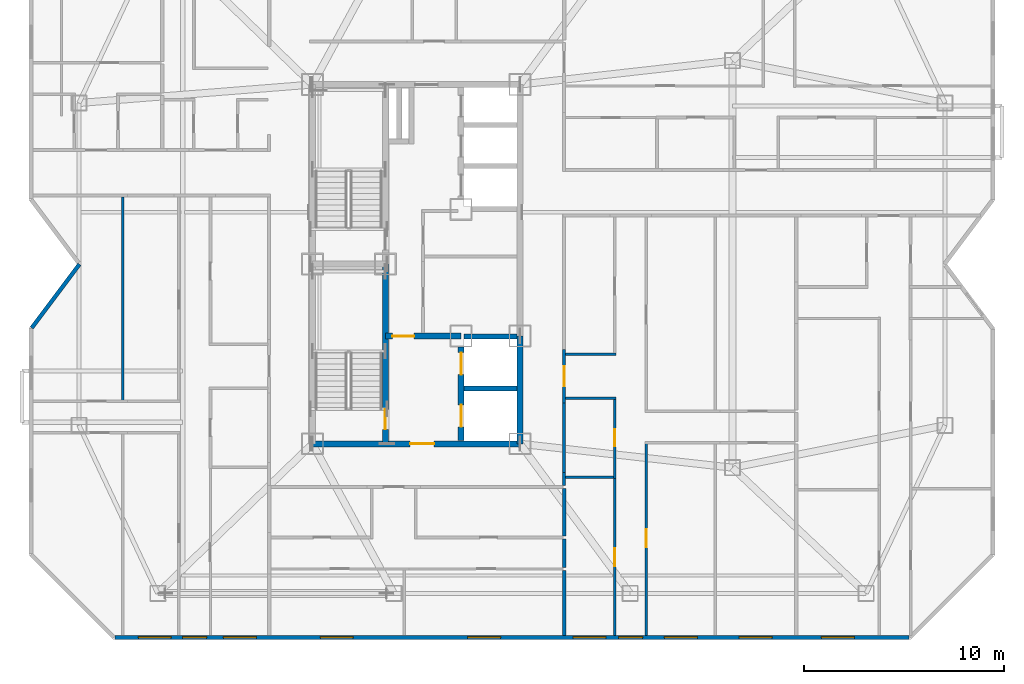
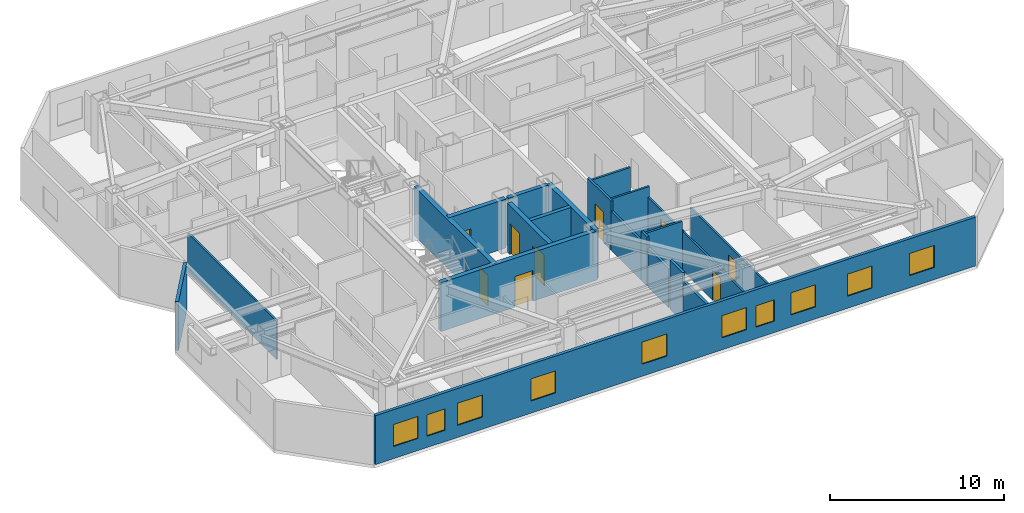
# One storey, part 6 of 12: 22 walls, 10 windows, 9 doors, 19 openings.
"""IFC4 building model written with IfcOpenShell, lengths in metres."""

from ifc_helpers import new_model, si_unit, direction, frame, frame_2d, origin, place, context, subcontext, project, spatial, rectangle, extrude, material, layer, layer_set, type_object, element, fill, save


model = new_model("IFC4")

# Units and contexts
model_context = context("Model", 3, precision=1e-05, world=origin(), true_north=direction((0.0, 1.0)))
body_context = subcontext(model_context, "Body", "Model", "MODEL_VIEW")
ifc_project = project(units=[si_unit("LENGTHUNIT", "METRE"), si_unit("AREAUNIT", "SQUARE_METRE"), si_unit("VOLUMEUNIT", "CUBIC_METRE"), si_unit("PLANEANGLEUNIT", "RADIAN"), si_unit("MASSUNIT", "GRAM", prefix="KILO")], contexts=[model_context])

# Site, building, storey
site_placement = place(None, origin())
site = spatial("IfcSite", under=ifc_project, at=site_placement, CompositionType="ELEMENT")
building_placement = place(site_placement, origin())
building = spatial("IfcBuilding", under=site, at=building_placement, Name="Khamvora Tower", CompositionType="ELEMENT")
storey_placement = place(building_placement, frame((0.0, 0.0, 199.699951171875)))
storey = spatial("IfcBuildingStorey", under=building, at=storey_placement, Name="L51", CompositionType="ELEMENT", Elevation=199.699951171875)

# Wall, opening, door
ifc_material_1 = material(Name="Concrete C50/60", Category="concrete")
ifc_layer_1 = layer(ifc_material_1, 0.300048828125)
ifc_layer_set_1 = layer_set([ifc_layer_1], Name="Concrete C50/60")
wall_type_1 = type_object("IfcWallType", Name="WAL-CORE-300", PredefinedType="SHEAR", material=ifc_layer_set_1)
wall_1_placement = place(storey_placement, frame((29.0, 19.0, 0.0), z_axis=(0.0, 0.0, 1.0), x_axis=(1.0, 0.0, 0.0)))
wall_1 = element("IfcWall", 1, at=wall_1_placement, inside=storey, type_object=wall_type_1, Name="L51 central core south wall", PredefinedType="SHEAR", context=body_context, shape_type="SweptSolid", body=[
    extrude(rectangle(XDim=10.39990234375, YDim=0.300048828125, at=frame_2d((5.199951171875, 0.0))), origin(), (0.0, 0.0, 1.0), 3.429931640625),
])
opening_1_placement = place(wall_1_placement, frame((4.89990234375, 0.0, 0.0)))
opening_1 = element("IfcOpeningElement", 2, at=opening_1_placement, cuts=wall_1, Name="Opening D-CR1", PredefinedType="OPENING", context=body_context, shape_type="SweptSolid", body=[
    extrude(rectangle(XDim=1.199951171875, YDim=2.14990234375, at=frame_2d((0.60009765625, 1.074951171875))), frame((0.0, 0.159912109375, 0.0), z_axis=(0.0, -1.0, 0.0), x_axis=(1.0, 0.0, 0.0)), (0.0, 0.0, 1.0), 0.320068359375),
])
ifc_material_2 = material(Name="Powder-Coated Steel and Hardwood Leaf", Category="steel")
door_type_1 = type_object("IfcDoorType", Name="DOR-CORR-1200", OperationType="NOTDEFINED", PredefinedType="DOOR", material=ifc_material_2)
door_1_placement = place(opening_1_placement, origin())
door_1 = element("IfcDoor", 3, at=door_1_placement, inside=storey, type_object=door_type_1, Name="L51 south core lobby to corridor fire door", OperationType="SINGLE_SWING_RIGHT", OverallHeight=2.14990234375, OverallWidth=1.199951171875, PredefinedType="DOOR", context=body_context, shape_type="SweptSolid", body=[
    extrude(rectangle(XDim=1.199951171875, YDim=2.14990234375, at=frame_2d((0.60009765625, 1.074951171875))), frame((0.0, 0.02490234375, 0.0), z_axis=(0.0, -1.0, 0.0), x_axis=(1.0, 0.0, 0.0)), (0.0, 0.0, 1.0), 0.050048828125),
])
fill(opening_1, door_1)

# Wall
wall_2_placement = place(storey_placement, frame((39.39990234375, 19.0, 0.0), z_axis=(0.0, 0.0, 1.0), x_axis=(0.0, 1.0, 0.0)))
element("IfcWall", 4, at=wall_2_placement, inside=storey, type_object=wall_type_1, Name="L51 central core east south wall", PredefinedType="SHEAR", context=body_context, shape_type="SweptSolid", body=[
    extrude(rectangle(XDim=5.39990234375, YDim=0.300048828125, at=frame_2d((2.699951171875, 0.0))), origin(), (0.0, 0.0, 1.0), 3.429931640625),
])

# Wall, opening, door
wall_3_placement = place(storey_placement, frame((32.64990234375, 19.0, 0.0), z_axis=(0.0, 0.0, 1.0), x_axis=(0.0, 1.0, 0.0)))
wall_3 = element("IfcWall", 5, at=wall_3_placement, inside=storey, type_object=wall_type_1, Name="L51 central core stair south spine wall", PredefinedType="SHEAR", context=body_context, shape_type="SweptSolid", body=[
    extrude(rectangle(XDim=9.0, YDim=0.300048828125, at=frame_2d((4.5, 0.0))), origin(), (0.0, 0.0, 1.0), 3.429931640625),
])
opening_2_placement = place(wall_3_placement, frame((0.719970703125, 0.0, 0.0)))
opening_2 = element("IfcOpeningElement", 6, at=opening_2_placement, cuts=wall_3, Name="Opening D-ST1", PredefinedType="OPENING", context=body_context, shape_type="SweptSolid", body=[
    extrude(rectangle(XDim=1.0, YDim=2.14990234375, at=frame_2d((0.5, 1.074951171875))), frame((0.0, 0.159912109375, 0.0), z_axis=(0.0, -1.0, 0.0), x_axis=(1.0, 0.0, 0.0)), (0.0, 0.0, 1.0), 0.320068359375),
])
door_type_2 = type_object("IfcDoorType", Name="DOR-STAIR-1000", OperationType="NOTDEFINED", PredefinedType="DOOR", material=ifc_material_2)
door_2_placement = place(opening_2_placement, origin())
door_2 = element("IfcDoor", 7, at=door_2_placement, inside=storey, type_object=door_type_2, Name="L51 exit stair ST-01 fire door", OperationType="SINGLE_SWING_RIGHT", OverallHeight=2.14990234375, OverallWidth=1.0, PredefinedType="DOOR", context=body_context, shape_type="SweptSolid", body=[
    extrude(rectangle(XDim=1.0, YDim=2.14990234375, at=frame_2d((0.5, 1.074951171875))), frame((0.0, 0.02490234375, 0.0), z_axis=(0.0, -1.0, 0.0), x_axis=(1.0, 0.0, 0.0)), (0.0, 0.0, 1.0), 0.050048828125),
])
fill(opening_2, door_2)

wall_4_placement = place(storey_placement, frame((32.64990234375, 24.39990234375, 0.0), z_axis=(0.0, 0.0, 1.0), x_axis=(1.0, 0.0, 0.0)))
wall_4 = element("IfcWall", 8, at=wall_4_placement, inside=storey, type_object=wall_type_1, Name="L51 central core firefighting lobby north wall", PredefinedType="SHEAR", context=body_context, shape_type="SweptSolid", body=[
    extrude(rectangle(XDim=3.800048828125, YDim=0.300048828125, at=frame_2d((1.89990234375, 0.0))), origin(), (0.0, 0.0, 1.0), 3.429931640625),
])
opening_3_placement = place(wall_4_placement, frame((0.35009765625, 0.0, 0.0)))
opening_3 = element("IfcOpeningElement", 9, at=opening_3_placement, cuts=wall_4, Name="Opening D-FF1", PredefinedType="OPENING", context=body_context, shape_type="SweptSolid", body=[
    extrude(rectangle(XDim=1.10009765625, YDim=2.14990234375, at=frame_2d((0.550048828125, 1.074951171875))), frame((0.0, 0.159912109375, 0.0), z_axis=(0.0, -1.0, 0.0), x_axis=(1.0, 0.0, 0.0)), (0.0, 0.0, 1.0), 0.320068359375),
])
door_type_3 = type_object("IfcDoorType", Name="DOR-FFLOB-1100", OperationType="NOTDEFINED", PredefinedType="DOOR", material=ifc_material_2)
door_3_placement = place(opening_3_placement, origin())
door_3 = element("IfcDoor", 10, at=door_3_placement, inside=storey, type_object=door_type_3, Name="L51 firefighting lobby smoke-seal fire door", OperationType="SINGLE_SWING_LEFT", OverallHeight=2.14990234375, OverallWidth=1.10009765625, PredefinedType="DOOR", context=body_context, shape_type="SweptSolid", body=[
    extrude(rectangle(XDim=1.10009765625, YDim=2.14990234375, at=frame_2d((0.550048828125, 1.074951171875))), frame((0.0, 0.02490234375, 0.0), z_axis=(0.0, -1.0, 0.0), x_axis=(1.0, 0.0, 0.0)), (0.0, 0.0, 1.0), 0.050048828125),
])
fill(opening_3, door_3)

# Wall, openings, doors
wall_5_placement = place(storey_placement, frame((36.449951171875, 19.154052734375, 0.0), z_axis=(0.0, 0.0, 1.0), x_axis=(0.0, 1.0, 0.0)))
wall_5 = element("IfcWall", 11, at=wall_5_placement, inside=storey, type_object=wall_type_1, Name="L51 central core lift bank south wall", PredefinedType="SHEAR", context=body_context, shape_type="SweptSolid", body=[
    extrude(rectangle(XDim=4.696044921875, YDim=0.300048828125, at=frame_2d((2.34814453125, 0.0))), origin(), (0.0, 0.0, 1.0), 3.429931640625),
])
opening_4_placement = place(wall_5_placement, frame((0.696044921875, 0.0, 0.0)))
opening_4 = element("IfcOpeningElement", 12, at=opening_4_placement, cuts=wall_5, Name="Opening LD-FFL", PredefinedType="OPENING", context=body_context, shape_type="SweptSolid", body=[
    extrude(rectangle(XDim=1.10009765625, YDim=2.14990234375, at=frame_2d((0.550048828125, 1.074951171875))), frame((0.0, 0.159912109375, 0.0), z_axis=(0.0, -1.0, 0.0), x_axis=(1.0, 0.0, 0.0)), (0.0, 0.0, 1.0), 0.320068359375),
])
opening_5_placement = place(wall_5_placement, frame((3.31591796875, 0.0, 0.0)))
opening_5 = element("IfcOpeningElement", 13, at=opening_5_placement, cuts=wall_5, Name="Opening LD-FFL", PredefinedType="OPENING", context=body_context, shape_type="SweptSolid", body=[
    extrude(rectangle(XDim=1.10009765625, YDim=2.14990234375, at=frame_2d((0.550048828125, 1.074951171875))), frame((0.0, 0.159912109375, 0.0), z_axis=(0.0, -1.0, 0.0), x_axis=(1.0, 0.0, 0.0)), (0.0, 0.0, 1.0), 0.320068359375),
])
door_type_4 = type_object("IfcDoorType", Name="DOR-LIFT-1100", OperationType="SLIDING_TO_LEFT", PredefinedType="DOOR", material=ifc_material_2)
door_4_placement = place(opening_4_placement, origin())
door_4 = element("IfcDoor", 14, at=door_4_placement, inside=storey, type_object=door_type_4, Name="L51 lift landing sliding door FFL-01", OperationType="SLIDING_TO_LEFT", OverallHeight=2.14990234375, OverallWidth=1.10009765625, PredefinedType="DOOR", context=body_context, shape_type="SweptSolid", body=[
    extrude(rectangle(XDim=1.10009765625, YDim=2.14990234375, at=frame_2d((0.550048828125, 1.074951171875))), frame((0.0, 0.02490234375, 0.0), z_axis=(0.0, -1.0, 0.0), x_axis=(1.0, 0.0, 0.0)), (0.0, 0.0, 1.0), 0.050048828125),
])
fill(opening_4, door_4)
door_5_placement = place(opening_5_placement, origin())
door_5 = element("IfcDoor", 15, at=door_5_placement, inside=storey, type_object=door_type_4, Name="L51 lift landing sliding door FFL-02", OperationType="SLIDING_TO_LEFT", OverallHeight=2.14990234375, OverallWidth=1.10009765625, PredefinedType="DOOR", context=body_context, shape_type="SweptSolid", body=[
    extrude(rectangle(XDim=1.10009765625, YDim=2.14990234375, at=frame_2d((0.550048828125, 1.074951171875))), frame((0.0, 0.02490234375, 0.0), z_axis=(0.0, -1.0, 0.0), x_axis=(1.0, 0.0, 0.0)), (0.0, 0.0, 1.0), 0.050048828125),
])
fill(opening_5, door_5)

# Wall
ifc_material_3 = material(Name="Fire-Rated Drywall and Steel Stud", Category="steel")
ifc_layer_2 = layer(ifc_material_3, 0.14990234375)
ifc_layer_set_2 = layer_set([ifc_layer_2], Name="Fire-Rated Drywall and Steel Stud")
wall_type_2 = type_object("IfcWallType", Name="WAL-CORR-150", PredefinedType="STANDARD", material=ifc_layer_set_2)
wall_6_placement = place(storey_placement, frame((41.614990234375, 17.568115234375, 0.0), z_axis=(0.0, 0.0, 1.0), x_axis=(0.0, -1.0, 0.0)))
element("IfcWall", 16, at=wall_6_placement, inside=storey, type_object=wall_type_2, Name="L51 interior partition wall 025", PredefinedType="STANDARD", context=body_context, shape_type="SweptSolid", body=[
    extrude(rectangle(XDim=0.668212890625, YDim=0.14990234375, at=frame_2d((0.333984375, 0.0))), origin(), (0.0, 0.0, 1.0), 3.429931640625),
])

# Wall, opening, door
wall_7_placement = place(storey_placement, frame((41.614990234375, 23.73291015625, 0.0), z_axis=(0.0, 0.0, 1.0), x_axis=(0.0, -1.0, 0.0)))
wall_7 = element("IfcWall", 17, at=wall_7_placement, inside=storey, type_object=wall_type_2, Name="L51 interior partition wall 027", PredefinedType="STANDARD", context=body_context, shape_type="SweptSolid", body=[
    extrude(rectangle(XDim=2.697998046875, YDim=0.14990234375, at=frame_2d((1.34912109375, 0.0))), origin(), (0.0, 0.0, 1.0), 3.429931640625),
])
opening_6_placement = place(wall_7_placement, frame((0.84912109375, 0.0, 0.0)))
opening_6 = element("IfcOpeningElement", 18, at=opening_6_placement, cuts=wall_7, Name="Opening D-U1", PredefinedType="OPENING", context=body_context, shape_type="SweptSolid", body=[
    extrude(rectangle(XDim=1.0, YDim=2.14990234375, at=frame_2d((0.5, 1.074951171875))), frame((0.0, 0.0849609375, 0.0), z_axis=(0.0, -1.0, 0.0), x_axis=(1.0, 0.0, 0.0)), (0.0, 0.0, 1.0), 0.169921875),
])
door_type_5 = type_object("IfcDoorType", Name="DOR-UNIT-1000", OperationType="NOTDEFINED", PredefinedType="DOOR", material=ifc_material_2)
door_6_placement = place(opening_6_placement, origin())
door_6 = element("IfcDoor", 19, at=door_6_placement, inside=storey, type_object=door_type_5, Name="L51 interior door COR-51EA1H", OperationType="SINGLE_SWING_LEFT", OverallHeight=2.14990234375, OverallWidth=1.0, PredefinedType="DOOR", context=body_context, shape_type="SweptSolid", body=[
    extrude(rectangle(XDim=1.0, YDim=2.14990234375, at=frame_2d((0.5, 1.074951171875))), frame((0.0, 0.02490234375, 0.0), z_axis=(0.0, -1.0, 0.0), x_axis=(1.0, 0.0, 0.0)), (0.0, 0.0, 1.0), 0.050048828125),
])
fill(opening_6, door_6)

# Walls
wall_8_placement = place(storey_placement, frame((41.614990234375, 21.034912109375, 0.0), z_axis=(0.0, 0.0, 1.0), x_axis=(0.0, -1.0, 0.0)))
element("IfcWall", 20, at=wall_8_placement, inside=storey, type_object=wall_type_2, Name="L51 interior partition wall 028", PredefinedType="STANDARD", context=body_context, shape_type="SweptSolid", body=[
    extrude(rectangle(XDim=3.466796875, YDim=0.14990234375, at=frame_2d((1.7333984375, 0.0))), origin(), (0.0, 0.0, 1.0), 2.72509765625),
])
ifc_material_4 = material(Name="Acoustic Double-Stud Fire Wall", Category="gypsum")
ifc_layer_3 = layer(ifc_material_4, 0.179931640625)
ifc_layer_set_3 = layer_set([ifc_layer_3], Name="Acoustic Double-Stud Fire Wall")
wall_type_3 = type_object("IfcWallType", Name="WAL-CORR-180", PredefinedType="STANDARD", material=ifc_layer_set_3)
wall_9_placement = place(storey_placement, frame((41.614990234375, 14.239990234375, 0.0), z_axis=(0.0, 0.0, 1.0), x_axis=(0.0, -1.0, 0.0)))
element("IfcWall", 21, at=wall_9_placement, inside=storey, type_object=wall_type_3, Name="L51 interior partition wall 086", PredefinedType="STANDARD", context=body_context, shape_type="SweptSolid", body=[
    extrude(rectangle(XDim=1.449951171875, YDim=0.179931640625, at=frame_2d((0.72509765625, 0.0))), origin(), (0.0, 0.0, 1.0), 3.429931640625),
])
wall_10_placement = place(storey_placement, frame((41.614990234375, 16.77001953125, 0.0), z_axis=(0.0, 0.0, 1.0), x_axis=(0.0, -1.0, 0.0)))
element("IfcWall", 22, at=wall_10_placement, inside=storey, type_object=wall_type_3, Name="L51 interior partition wall 087", PredefinedType="STANDARD", context=body_context, shape_type="SweptSolid", body=[
    extrude(rectangle(XDim=2.39990234375, YDim=0.179931640625, at=frame_2d((1.199951171875, 0.0))), origin(), (0.0, 0.0, 1.0), 2.72509765625),
])
wall_11_placement = place(storey_placement, frame((41.614990234375, 12.659912109375, 0.0), z_axis=(0.0, 0.0, 1.0), x_axis=(0.0, -1.0, 0.0)))
element("IfcWall", 23, at=wall_11_placement, inside=storey, type_object=wall_type_3, Name="L51 interior partition wall 089", PredefinedType="STANDARD", context=body_context, shape_type="SweptSolid", body=[
    extrude(rectangle(XDim=3.267822265625, YDim=0.179931640625, at=frame_2d((1.6337890625, 0.0))), origin(), (0.0, 0.0, 1.0), 2.8759765625),
])
ifc_material_5 = material(Name="Precast concrete C40/50", Category="concrete")
ifc_layer_4 = layer(ifc_material_5, 0.199951171875)
ifc_layer_set_4 = layer_set([ifc_layer_4], Name="Precast concrete C40/50")
wall_type_4 = type_object("IfcWallType", Name="WAL-EXT-200", PredefinedType="STANDARD", material=ifc_layer_set_4)
wall_12_placement = place(storey_placement, frame((14.929931640625, 24.806884765625, 0.0), z_axis=(0.0, 0.0, 1.0), x_axis=(0.600029358831, 0.799977980035, 0.0)))
element("IfcWall", 24, at=wall_12_placement, inside=storey, type_object=wall_type_4, Name="L51 exterior facade wall 03.1", PredefinedType="STANDARD", context=body_context, shape_type="SweptSolid", body=[
    extrude(rectangle(XDim=3.991455078125, YDim=0.199951171875, at=frame_2d((1.99560546875, 0.0))), origin(), (0.0, 0.0, 1.0), 3.429931640625),
])

# Wall, openings, windows
wall_13_placement = place(storey_placement, frame((58.89599609375, 9.300048828125, 0.0), z_axis=(0.0, 0.0, 1.0), x_axis=(-1.0, 0.0, 0.0)))
wall_13 = element("IfcWall", 25, at=wall_13_placement, inside=storey, type_object=wall_type_4, Name="L51 exterior facade wall 14.1", PredefinedType="STANDARD", context=body_context, shape_type="SweptSolid", body=[
    extrude(rectangle(XDim=39.79296875, YDim=0.199951171875, at=frame_2d((19.896484375, 0.0))), origin(), (0.0, 0.0, 1.0), 3.429931640625),
])
opening_7_placement = place(wall_13_placement, frame((32.7080078125, 0.0, 0.85009765625)))
opening_7 = element("IfcOpeningElement", 26, at=opening_7_placement, cuts=wall_13, Name="Opening WN-06", PredefinedType="OPENING", context=body_context, shape_type="SweptSolid", body=[
    extrude(rectangle(XDim=1.64990234375, YDim=1.550048828125, at=frame_2d((0.824951171875, 0.77490234375))), frame((0.0, 0.10986328125, 0.0), z_axis=(0.0, -1.0, 0.0), x_axis=(1.0, 0.0, 0.0)), (0.0, 0.0, 1.0), 0.219970703125),
])
opening_8_placement = place(wall_13_placement, frame((35.196044921875, 0.0, 0.800048828125)))
opening_8 = element("IfcOpeningElement", 27, at=opening_8_placement, cuts=wall_13, Name="Opening WN-03", PredefinedType="OPENING", context=body_context, shape_type="SweptSolid", body=[
    extrude(rectangle(XDim=1.199951171875, YDim=1.5, at=frame_2d((0.60009765625, 0.75))), frame((0.0, 0.10986328125, 0.0), z_axis=(0.0, -1.0, 0.0), x_axis=(1.0, 0.0, 0.0)), (0.0, 0.0, 1.0), 0.219970703125),
])
opening_9_placement = place(wall_13_placement, frame((36.971923828125, 0.0, 0.85009765625)))
opening_9 = element("IfcOpeningElement", 28, at=opening_9_placement, cuts=wall_13, Name="Opening WN-06", PredefinedType="OPENING", context=body_context, shape_type="SweptSolid", body=[
    extrude(rectangle(XDim=1.64990234375, YDim=1.550048828125, at=frame_2d((0.824951171875, 0.77490234375))), frame((0.0, 0.10986328125, 0.0), z_axis=(0.0, -1.0, 0.0), x_axis=(1.0, 0.0, 0.0)), (0.0, 0.0, 1.0), 0.219970703125),
])
opening_10_placement = place(wall_13_placement, frame((27.85400390625, 0.0, 0.85009765625)))
opening_10 = element("IfcOpeningElement", 29, at=opening_10_placement, cuts=wall_13, Name="Opening WN-06", PredefinedType="OPENING", context=body_context, shape_type="SweptSolid", body=[
    extrude(rectangle(XDim=1.64990234375, YDim=1.550048828125, at=frame_2d((0.824951171875, 0.77490234375))), frame((0.0, 0.10986328125, 0.0), z_axis=(0.0, -1.0, 0.0), x_axis=(1.0, 0.0, 0.0)), (0.0, 0.0, 1.0), 0.219970703125),
])
opening_11_placement = place(wall_13_placement, frame((20.464111328125, 0.0, 0.85009765625)))
opening_11 = element("IfcOpeningElement", 30, at=opening_11_placement, cuts=wall_13, Name="Opening WN-06", PredefinedType="OPENING", context=body_context, shape_type="SweptSolid", body=[
    extrude(rectangle(XDim=1.64990234375, YDim=1.550048828125, at=frame_2d((0.824951171875, 0.77490234375))), frame((0.0, 0.10986328125, 0.0), z_axis=(0.0, -1.0, 0.0), x_axis=(1.0, 0.0, 0.0)), (0.0, 0.0, 1.0), 0.219970703125),
])
opening_12_placement = place(wall_13_placement, frame((15.18603515625, 0.0, 0.85009765625)))
opening_12 = element("IfcOpeningElement", 31, at=opening_12_placement, cuts=wall_13, Name="Opening WN-06", PredefinedType="OPENING", context=body_context, shape_type="SweptSolid", body=[
    extrude(rectangle(XDim=1.64990234375, YDim=1.550048828125, at=frame_2d((0.824951171875, 0.77490234375))), frame((0.0, 0.10986328125, 0.0), z_axis=(0.0, -1.0, 0.0), x_axis=(1.0, 0.0, 0.0)), (0.0, 0.0, 1.0), 0.219970703125),
])
opening_13_placement = place(wall_13_placement, frame((13.35205078125, 0.0, 0.800048828125)))
opening_13 = element("IfcOpeningElement", 32, at=opening_13_placement, cuts=wall_13, Name="Opening WN-03", PredefinedType="OPENING", context=body_context, shape_type="SweptSolid", body=[
    extrude(rectangle(XDim=1.199951171875, YDim=1.5, at=frame_2d((0.60009765625, 0.75))), frame((0.0, 0.10986328125, 0.0), z_axis=(0.0, -1.0, 0.0), x_axis=(1.0, 0.0, 0.0)), (0.0, 0.0, 1.0), 0.219970703125),
])
opening_14_placement = place(wall_13_placement, frame((10.612060546875, 0.0, 0.85009765625)))
opening_14 = element("IfcOpeningElement", 33, at=opening_14_placement, cuts=wall_13, Name="Opening WN-06", PredefinedType="OPENING", context=body_context, shape_type="SweptSolid", body=[
    extrude(rectangle(XDim=1.64990234375, YDim=1.550048828125, at=frame_2d((0.824951171875, 0.77490234375))), frame((0.0, 0.10986328125, 0.0), z_axis=(0.0, -1.0, 0.0), x_axis=(1.0, 0.0, 0.0)), (0.0, 0.0, 1.0), 0.219970703125),
])
opening_15_placement = place(wall_13_placement, frame((6.85888671875, 0.0, 0.85009765625)))
opening_15 = element("IfcOpeningElement", 34, at=opening_15_placement, cuts=wall_13, Name="Opening WN-06", PredefinedType="OPENING", context=body_context, shape_type="SweptSolid", body=[
    extrude(rectangle(XDim=1.64990234375, YDim=1.550048828125, at=frame_2d((0.824951171875, 0.77490234375))), frame((0.0, 0.10986328125, 0.0), z_axis=(0.0, -1.0, 0.0), x_axis=(1.0, 0.0, 0.0)), (0.0, 0.0, 1.0), 0.219970703125),
])
opening_16_placement = place(wall_13_placement, frame((2.743896484375, 0.0, 0.85009765625)))
opening_16 = element("IfcOpeningElement", 35, at=opening_16_placement, cuts=wall_13, Name="Opening WN-06", PredefinedType="OPENING", context=body_context, shape_type="SweptSolid", body=[
    extrude(rectangle(XDim=1.64990234375, YDim=1.550048828125, at=frame_2d((0.824951171875, 0.77490234375))), frame((0.0, 0.10986328125, 0.0), z_axis=(0.0, -1.0, 0.0), x_axis=(1.0, 0.0, 0.0)), (0.0, 0.0, 1.0), 0.219970703125),
])
ifc_material_6 = material(Name="Low-E Laminated Double Glazing", Category="glass")
window_type_1 = type_object("IfcWindowType", Name="WIN-VIS-1200x1500", PartitioningType="SINGLE_PANEL", PredefinedType="WINDOW", material=ifc_material_6)
window_1_placement = place(opening_8_placement, origin())
window_1 = element("IfcWindow", 36, at=window_1_placement, inside=storey, type_object=window_type_1, Name="L51 vision window 14.1.02", OverallHeight=1.5, OverallWidth=1.199951171875, PartitioningType="SINGLE_PANEL", PredefinedType="WINDOW", context=body_context, shape_type="SweptSolid", body=[
    extrude(rectangle(XDim=1.199951171875, YDim=1.5, at=frame_2d((0.60009765625, 0.75))), frame((0.0, 0.030029296875, 0.0), z_axis=(0.0, -1.0, 0.0), x_axis=(1.0, 0.0, 0.0)), (0.0, 0.0, 1.0), 0.06005859375),
])
fill(opening_8, window_1)
window_2_placement = place(opening_13_placement, origin())
window_2 = element("IfcWindow", 37, at=window_2_placement, inside=storey, type_object=window_type_1, Name="L51 vision window 14.1.07", OverallHeight=1.5, OverallWidth=1.199951171875, PartitioningType="SINGLE_PANEL", PredefinedType="WINDOW", context=body_context, shape_type="SweptSolid", body=[
    extrude(rectangle(XDim=1.199951171875, YDim=1.5, at=frame_2d((0.60009765625, 0.75))), frame((0.0, 0.030029296875, 0.0), z_axis=(0.0, -1.0, 0.0), x_axis=(1.0, 0.0, 0.0)), (0.0, 0.0, 1.0), 0.06005859375),
])
fill(opening_13, window_2)
window_type_2 = type_object("IfcWindowType", Name="WIN-VIS-1650x1550", PartitioningType="SINGLE_PANEL", PredefinedType="WINDOW", material=ifc_material_6)
window_3_placement = place(opening_7_placement, origin())
window_3 = element("IfcWindow", 38, at=window_3_placement, inside=storey, type_object=window_type_2, Name="L51 vision window 14.1.01", OverallHeight=1.550048828125, OverallWidth=1.64990234375, PartitioningType="SINGLE_PANEL", PredefinedType="WINDOW", context=body_context, shape_type="SweptSolid", body=[
    extrude(rectangle(XDim=1.64990234375, YDim=1.550048828125, at=frame_2d((0.824951171875, 0.77490234375))), frame((0.0, 0.030029296875, 0.0), z_axis=(0.0, -1.0, 0.0), x_axis=(1.0, 0.0, 0.0)), (0.0, 0.0, 1.0), 0.06005859375),
])
fill(opening_7, window_3)
window_4_placement = place(opening_9_placement, origin())
window_4 = element("IfcWindow", 39, at=window_4_placement, inside=storey, type_object=window_type_2, Name="L51 vision window 14.1.03", OverallHeight=1.550048828125, OverallWidth=1.64990234375, PartitioningType="SINGLE_PANEL", PredefinedType="WINDOW", context=body_context, shape_type="SweptSolid", body=[
    extrude(rectangle(XDim=1.64990234375, YDim=1.550048828125, at=frame_2d((0.824951171875, 0.77490234375))), frame((0.0, 0.030029296875, 0.0), z_axis=(0.0, -1.0, 0.0), x_axis=(1.0, 0.0, 0.0)), (0.0, 0.0, 1.0), 0.06005859375),
])
fill(opening_9, window_4)
window_5_placement = place(opening_10_placement, origin())
window_5 = element("IfcWindow", 40, at=window_5_placement, inside=storey, type_object=window_type_2, Name="L51 vision window 14.1.04", OverallHeight=1.550048828125, OverallWidth=1.64990234375, PartitioningType="SINGLE_PANEL", PredefinedType="WINDOW", context=body_context, shape_type="SweptSolid", body=[
    extrude(rectangle(XDim=1.64990234375, YDim=1.550048828125, at=frame_2d((0.824951171875, 0.77490234375))), frame((0.0, 0.030029296875, 0.0), z_axis=(0.0, -1.0, 0.0), x_axis=(1.0, 0.0, 0.0)), (0.0, 0.0, 1.0), 0.06005859375),
])
fill(opening_10, window_5)
window_6_placement = place(opening_11_placement, origin())
window_6 = element("IfcWindow", 41, at=window_6_placement, inside=storey, type_object=window_type_2, Name="L51 vision window 14.1.05", OverallHeight=1.550048828125, OverallWidth=1.64990234375, PartitioningType="SINGLE_PANEL", PredefinedType="WINDOW", context=body_context, shape_type="SweptSolid", body=[
    extrude(rectangle(XDim=1.64990234375, YDim=1.550048828125, at=frame_2d((0.824951171875, 0.77490234375))), frame((0.0, 0.030029296875, 0.0), z_axis=(0.0, -1.0, 0.0), x_axis=(1.0, 0.0, 0.0)), (0.0, 0.0, 1.0), 0.06005859375),
])
fill(opening_11, window_6)
window_7_placement = place(opening_12_placement, origin())
window_7 = element("IfcWindow", 42, at=window_7_placement, inside=storey, type_object=window_type_2, Name="L51 vision window 14.1.06", OverallHeight=1.550048828125, OverallWidth=1.64990234375, PartitioningType="SINGLE_PANEL", PredefinedType="WINDOW", context=body_context, shape_type="SweptSolid", body=[
    extrude(rectangle(XDim=1.64990234375, YDim=1.550048828125, at=frame_2d((0.824951171875, 0.77490234375))), frame((0.0, 0.030029296875, 0.0), z_axis=(0.0, -1.0, 0.0), x_axis=(1.0, 0.0, 0.0)), (0.0, 0.0, 1.0), 0.06005859375),
])
fill(opening_12, window_7)
window_8_placement = place(opening_14_placement, origin())
window_8 = element("IfcWindow", 43, at=window_8_placement, inside=storey, type_object=window_type_2, Name="L51 vision window 14.1.08", OverallHeight=1.550048828125, OverallWidth=1.64990234375, PartitioningType="SINGLE_PANEL", PredefinedType="WINDOW", context=body_context, shape_type="SweptSolid", body=[
    extrude(rectangle(XDim=1.64990234375, YDim=1.550048828125, at=frame_2d((0.824951171875, 0.77490234375))), frame((0.0, 0.030029296875, 0.0), z_axis=(0.0, -1.0, 0.0), x_axis=(1.0, 0.0, 0.0)), (0.0, 0.0, 1.0), 0.06005859375),
])
fill(opening_14, window_8)
window_9_placement = place(opening_15_placement, origin())
window_9 = element("IfcWindow", 44, at=window_9_placement, inside=storey, type_object=window_type_2, Name="L51 vision window 14.1.09", OverallHeight=1.550048828125, OverallWidth=1.64990234375, PartitioningType="SINGLE_PANEL", PredefinedType="WINDOW", context=body_context, shape_type="SweptSolid", body=[
    extrude(rectangle(XDim=1.64990234375, YDim=1.550048828125, at=frame_2d((0.824951171875, 0.77490234375))), frame((0.0, 0.030029296875, 0.0), z_axis=(0.0, -1.0, 0.0), x_axis=(1.0, 0.0, 0.0)), (0.0, 0.0, 1.0), 0.06005859375),
])
fill(opening_15, window_9)
window_10_placement = place(opening_16_placement, origin())
window_10 = element("IfcWindow", 45, at=window_10_placement, inside=storey, type_object=window_type_2, Name="L51 vision window 14.1.10", OverallHeight=1.550048828125, OverallWidth=1.64990234375, PartitioningType="SINGLE_PANEL", PredefinedType="WINDOW", context=body_context, shape_type="SweptSolid", body=[
    extrude(rectangle(XDim=1.64990234375, YDim=1.550048828125, at=frame_2d((0.824951171875, 0.77490234375))), frame((0.0, 0.030029296875, 0.0), z_axis=(0.0, -1.0, 0.0), x_axis=(1.0, 0.0, 0.0)), (0.0, 0.0, 1.0), 0.06005859375),
])
fill(opening_16, window_10)

# Wall
ifc_material_7 = material(Name="Gypsum Plasterboard Partition", Category="gypsum")
ifc_layer_5 = layer(ifc_material_7, 0.1201171875)
ifc_layer_set_5 = layer_set([ifc_layer_5], Name="Gypsum Plasterboard Partition")
wall_type_5 = type_object("IfcWallType", Name="WAL-PART-120", PredefinedType="PARTITIONING", material=ifc_layer_set_5)
wall_14_placement = place(storey_placement, frame((19.488037109375, 31.367919921875, 0.0), z_axis=(0.0, 0.0, 1.0), x_axis=(0.0, -1.0, 0.0)))
element("IfcWall", 46, at=wall_14_placement, inside=storey, type_object=wall_type_5, Name="L51 interior partition wall 060", PredefinedType="PARTITIONING", context=body_context, shape_type="SweptSolid", body=[
    extrude(rectangle(XDim=10.18896484375, YDim=0.1201171875, at=frame_2d((5.094482421875, 0.0))), origin(), (0.0, 0.0, 1.0), 2.68701171875),
])

# Wall, opening, door
wall_15_placement = place(storey_placement, frame((44.154052734375, 17.25390625, 0.0), z_axis=(0.0, 0.0, 1.0), x_axis=(0.0, -1.0, 0.0)))
wall_15 = element("IfcWall", 47, at=wall_15_placement, inside=storey, type_object=wall_type_5, Name="L51 interior partition wall 100", PredefinedType="PARTITIONING", context=body_context, shape_type="SweptSolid", body=[
    extrude(rectangle(XDim=7.86181640625, YDim=0.1201171875, at=frame_2d((3.930908203125, 0.0))), origin(), (0.0, 0.0, 1.0), 2.72509765625),
])
opening_17_placement = place(wall_15_placement, frame((3.48095703125, 0.0, 0.0)))
opening_17 = element("IfcOpeningElement", 48, at=opening_17_placement, cuts=wall_15, Name="Opening D-RM1", PredefinedType="OPENING", context=body_context, shape_type="SweptSolid", body=[
    extrude(rectangle(XDim=0.89990234375, YDim=2.10009765625, at=frame_2d((0.449951171875, 1.050048828125))), frame((0.0, 0.070068359375, 0.0), z_axis=(0.0, -1.0, 0.0), x_axis=(1.0, 0.0, 0.0)), (0.0, 0.0, 1.0), 0.14013671875),
])
door_type_6 = type_object("IfcDoorType", Name="DOR-ROOM-900", OperationType="NOTDEFINED", PredefinedType="DOOR", material=ifc_material_2)
door_7_placement = place(opening_17_placement, origin())
door_7 = element("IfcDoor", 49, at=door_7_placement, inside=storey, type_object=door_type_6, Name="L51 interior door 51EA1W1-51EA1H", OperationType="SINGLE_SWING_RIGHT", OverallHeight=2.10009765625, OverallWidth=0.89990234375, PredefinedType="DOOR", context=body_context, shape_type="SweptSolid", body=[
    extrude(rectangle(XDim=0.89990234375, YDim=2.10009765625, at=frame_2d((0.449951171875, 1.050048828125))), frame((0.0, 0.02490234375, 0.0), z_axis=(0.0, -1.0, 0.0), x_axis=(1.0, 0.0, 0.0)), (0.0, 0.0, 1.0), 0.050048828125),
])
fill(opening_17, door_7)

wall_16_placement = place(storey_placement, frame((45.73388671875, 19.1201171875, 0.0), z_axis=(0.0, 0.0, 1.0), x_axis=(0.0, -1.0, 0.0)))
wall_16 = element("IfcWall", 50, at=wall_16_placement, inside=storey, type_object=wall_type_5, Name="L51 interior partition wall 107", PredefinedType="PARTITIONING", context=body_context, shape_type="SweptSolid", body=[
    extrude(rectangle(XDim=9.72802734375, YDim=0.1201171875, at=frame_2d((4.864013671875, 0.0))), origin(), (0.0, 0.0, 1.0), 2.72509765625),
])
opening_18_placement = place(wall_16_placement, frame((4.4140625, 0.0, 0.0)))
opening_18 = element("IfcOpeningElement", 51, at=opening_18_placement, cuts=wall_16, Name="Opening D-RM1", PredefinedType="OPENING", context=body_context, shape_type="SweptSolid", body=[
    extrude(rectangle(XDim=0.89990234375, YDim=2.10009765625, at=frame_2d((0.449951171875, 1.050048828125))), frame((0.0, 0.070068359375, 0.0), z_axis=(0.0, -1.0, 0.0), x_axis=(1.0, 0.0, 0.0)), (0.0, 0.0, 1.0), 0.14013671875),
])
door_8_placement = place(opening_18_placement, origin())
door_8 = element("IfcDoor", 52, at=door_8_placement, inside=storey, type_object=door_type_6, Name="L51 interior door 51EA1H-51EA1L", OperationType="SINGLE_SWING_LEFT", OverallHeight=2.10009765625, OverallWidth=0.89990234375, PredefinedType="DOOR", context=body_context, shape_type="SweptSolid", body=[
    extrude(rectangle(XDim=0.89990234375, YDim=2.10009765625, at=frame_2d((0.449951171875, 1.050048828125))), frame((0.0, 0.02490234375, 0.0), z_axis=(0.0, -1.0, 0.0), x_axis=(1.0, 0.0, 0.0)), (0.0, 0.0, 1.0), 0.050048828125),
])
fill(opening_18, door_8)

# Walls
ifc_material_8 = material(Name="Concrete C40/50", Category="concrete")
ifc_layer_6 = layer(ifc_material_8, 0.25)
ifc_layer_set_6 = layer_set([ifc_layer_6], Name="Concrete C40/50")
wall_type_6 = type_object("IfcWallType", Name="WAL-PODS-250", PredefinedType="SHEAR", material=ifc_layer_set_6)
for number, where, z_axis, x_axis, name in (
    (53, (36.60400390625, 21.77490234375, 0.0), (0.0, 0.0, 1.0), (1.0, 0.0, 0.0), "L51 lift shaft divider wall FFL-01"),
    (54, (36.60400390625, 24.375, 0.0), (0.0, 0.0, 1.0), (1.0, 0.0, 0.0), "L51 lift shaft divider wall FFL-02"),
):
    element("IfcWall", number, at=place(storey_placement, frame(where, z_axis=z_axis, x_axis=x_axis)), inside=storey, type_object=wall_type_6, Name=name, PredefinedType="SHEAR", context=body_context, shape_type="SweptSolid", body=[
        extrude(rectangle(XDim=2.64208984375, YDim=0.25, at=frame_2d((1.321044921875, 0.0))), origin(), (0.0, 0.0, 1.0), 3.429931640625),
    ])
ifc_material_9 = material(Name="Moisture-Resistant Plasterboard Partition", Category="gypsum")
ifc_layer_7 = layer(ifc_material_9, 0.135009765625)
ifc_layer_set_7 = layer_set([ifc_layer_7], Name="Moisture-Resistant Plasterboard Partition")
wall_type_7 = type_object("IfcWallType", Name="WAL-WET-135", PredefinedType="PARTITIONING", material=ifc_layer_set_7)
wall_17_placement = place(storey_placement, frame((41.681884765625, 17.319091796875, 0.0), z_axis=(0.0, 0.0, 1.0), x_axis=(1.0, 0.0, 0.0)))
element("IfcWall", 55, at=wall_17_placement, inside=storey, type_object=wall_type_7, Name="L51 interior partition wall 101", PredefinedType="PARTITIONING", context=body_context, shape_type="SweptSolid", body=[
    extrude(rectangle(XDim=2.4072265625, YDim=0.135009765625, at=frame_2d((1.20361328125, 0.0))), origin(), (0.0, 0.0, 1.0), 3.429931640625),
])

# Wall, opening, door
wall_18_placement = place(storey_placement, frame((44.154052734375, 17.25390625, 0.0), z_axis=(0.0, 0.0, 1.0), x_axis=(0.0, 1.0, 0.0)))
wall_18 = element("IfcWall", 56, at=wall_18_placement, inside=storey, type_object=wall_type_7, Name="L51 interior partition wall 102", PredefinedType="PARTITIONING", context=body_context, shape_type="SweptSolid", body=[
    extrude(rectangle(XDim=4.09521484375, YDim=0.135009765625, at=frame_2d((2.047607421875, 0.0))), origin(), (0.0, 0.0, 1.0), 2.72509765625),
])
opening_19_placement = place(wall_18_placement, frame((1.6220703125, 0.0, 0.0)))
opening_19 = element("IfcOpeningElement", 57, at=opening_19_placement, cuts=wall_18, Name="Opening D-WC1", PredefinedType="OPENING", context=body_context, shape_type="SweptSolid", body=[
    extrude(rectangle(XDim=0.85009765625, YDim=2.10009765625, at=frame_2d((0.425048828125, 1.050048828125))), frame((0.0, 0.077392578125, 0.0), z_axis=(0.0, -1.0, 0.0), x_axis=(1.0, 0.0, 0.0)), (0.0, 0.0, 1.0), 0.155029296875),
])
door_type_7 = type_object("IfcDoorType", Name="DOR-WET-850", OperationType="NOTDEFINED", PredefinedType="DOOR", material=ifc_material_2)
door_9_placement = place(opening_19_placement, origin())
door_9 = element("IfcDoor", 58, at=door_9_placement, inside=storey, type_object=door_type_7, Name="L51 interior door 51EA1H-51EA1B", OperationType="SINGLE_SWING_LEFT", OverallHeight=2.10009765625, OverallWidth=0.85009765625, PredefinedType="DOOR", context=body_context, shape_type="SweptSolid", body=[
    extrude(rectangle(XDim=0.85009765625, YDim=2.10009765625, at=frame_2d((0.425048828125, 1.050048828125))), frame((0.0, 0.02490234375, 0.0), z_axis=(0.0, -1.0, 0.0), x_axis=(1.0, 0.0, 0.0)), (0.0, 0.0, 1.0), 0.050048828125),
])
fill(opening_19, door_9)

# Walls
for number, where, z_axis, x_axis, name in (
    (59, (44.218994140625, 21.283935546875, 0.0), (0.0, 0.0, 1.0), (-1.0, 0.0, 0.0), "L51 interior partition wall 103"),
    (60, (41.681884765625, 23.48388671875, 0.0), (0.0, 0.0, 1.0), (1.0, 0.0, 0.0), "L51 interior partition wall 104"),
):
    element("IfcWall", number, at=place(storey_placement, frame(where, z_axis=z_axis, x_axis=x_axis)), inside=storey, type_object=wall_type_7, Name=name, PredefinedType="PARTITIONING", context=body_context, shape_type="SweptSolid", body=[
        extrude(rectangle(XDim=2.537109375, YDim=0.135009765625, at=frame_2d((1.2685546875, 0.0))), origin(), (0.0, 0.0, 1.0), 3.429931640625),
    ])

save(model, "model.ifc")
